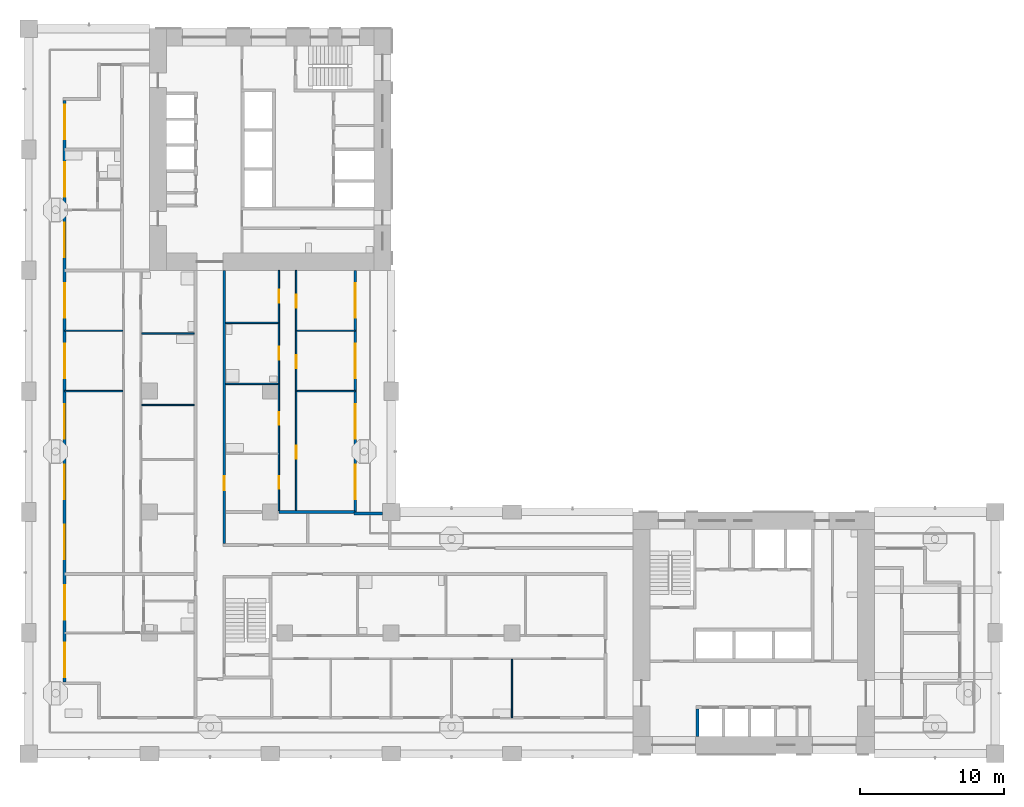
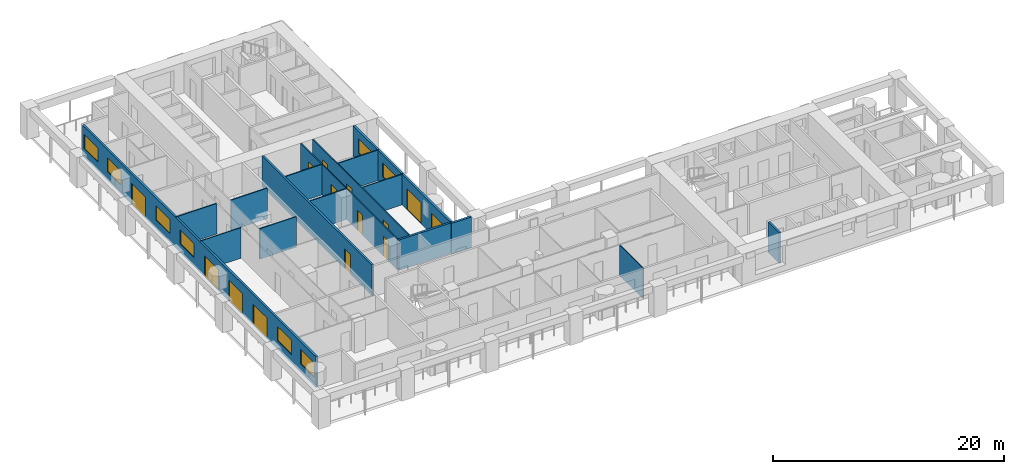
# One storey, part 4 of 18: 17 walls, 14 doors, 8 windows, 22 openings.
"""IFC4 building model written with IfcOpenShell, lengths in metres."""

from ifc_helpers import new_model, si_unit, direction, frame, frame_2d, origin, place, context, subcontext, project, spatial, rectangle, extrude, material, layer, layer_set, type_object, element, fill, save


model = new_model("IFC4")

# Units and contexts
model_context = context("Model", 3, precision=1e-05, world=origin(), true_north=direction((0.0, 1.0)))
body_context = subcontext(model_context, "Body", "Model", "MODEL_VIEW")
ifc_project = project(units=[si_unit("LENGTHUNIT", "METRE"), si_unit("AREAUNIT", "SQUARE_METRE"), si_unit("VOLUMEUNIT", "CUBIC_METRE"), si_unit("PLANEANGLEUNIT", "RADIAN"), si_unit("MASSUNIT", "GRAM", prefix="KILO")], contexts=[model_context])

# Site, building, storey
site_placement = place(None, origin())
site = spatial("IfcSite", under=ifc_project, at=site_placement, CompositionType="ELEMENT")
building_placement = place(site_placement, origin())
building = spatial("IfcBuilding", under=site, at=building_placement, Name="Vermilion Gate Residences", CompositionType="ELEMENT")
storey_placement = place(building_placement, frame((0.0, 0.0, 109.199951171875)))
storey = spatial("IfcBuildingStorey", under=building, at=storey_placement, Name="L27", CompositionType="ELEMENT", Elevation=109.199951171875)

# Wall, openings, doors, windows
ifc_material_1 = material(Name="Insulated steel stud wall with terracotta rainscreen", Category="masonry")
ifc_layer_1 = layer(ifc_material_1, 0.199951171875)
ifc_layer_set_1 = layer_set([ifc_layer_1], Name="EXTERNAL WALL 200 TERRACOTTA RAINSCREEN")
wall_type_1 = type_object("IfcWallType", Name="EXTERNAL WALL 200 TERRACOTTA RAINSCREEN", PredefinedType="SOLIDWALL", material=ifc_layer_set_1)
wall_1_placement = place(storey_placement, frame((2.5, 53.800048828125, 0.0), z_axis=(0.0, 0.0, 1.0), x_axis=(0.0, -1.0, 0.0)))
wall_1 = element("IfcWall", 1, at=wall_1_placement, inside=storey, type_object=wall_type_1, Name="External wall", PredefinedType="SOLIDWALL", context=body_context, shape_type="SweptSolid", body=[
    extrude(rectangle(XDim=40.400146484375, YDim=0.199951171875, at=frame_2d((20.2001953125, 0.0))), origin(), (0.0, 0.0, 1.0), 3.219970703125),
])
opening_1_placement = place(wall_1_placement, frame((37.699951171875, 0.0, 0.89990234375)))
opening_1 = element("IfcOpeningElement", 2, at=opening_1_placement, cuts=wall_1, Name="Opening WE27002", PredefinedType="OPENING", context=body_context, shape_type="SweptSolid", body=[
    extrude(rectangle(XDim=2.39990234375, YDim=1.5, at=frame_2d((1.199951171875, 0.75))), frame((0.0, 0.10986328125, 0.0), z_axis=(0.0, -1.0, 0.0), x_axis=(1.0, 0.0, 0.0)), (0.0, 0.0, 1.0), 0.219970703125),
])
opening_2_placement = place(wall_1_placement, frame((33.699951171875, 0.0, 0.89990234375)))
opening_2 = element("IfcOpeningElement", 3, at=opening_2_placement, cuts=wall_1, Name="Opening WE27003", PredefinedType="OPENING", context=body_context, shape_type="SweptSolid", body=[
    extrude(rectangle(XDim=2.39990234375, YDim=1.5, at=frame_2d((1.199951171875, 0.75))), frame((0.0, 0.10986328125, 0.0), z_axis=(0.0, -1.0, 0.0), x_axis=(1.0, 0.0, 0.0)), (0.0, 0.0, 1.0), 0.219970703125),
])
opening_3_placement = place(wall_1_placement, frame((29.5, 0.0, 0.0)))
opening_3 = element("IfcOpeningElement", 4, at=opening_3_placement, cuts=wall_1, Name="Opening DE27004", PredefinedType="OPENING", context=body_context, shape_type="SweptSolid", body=[
    extrude(rectangle(XDim=2.39990234375, YDim=2.199951171875, at=frame_2d((1.199951171875, 1.10009765625))), frame((0.0, 0.10986328125, 0.0), z_axis=(0.0, -1.0, 0.0), x_axis=(1.0, 0.0, 0.0)), (0.0, 0.0, 1.0), 0.219970703125),
])
opening_4_placement = place(wall_1_placement, frame((25.300048828125, 0.0, 0.0)))
opening_4 = element("IfcOpeningElement", 5, at=opening_4_placement, cuts=wall_1, Name="Opening DE27005", PredefinedType="OPENING", context=body_context, shape_type="SweptSolid", body=[
    extrude(rectangle(XDim=2.39990234375, YDim=2.199951171875, at=frame_2d((1.199951171875, 1.10009765625))), frame((0.0, 0.10986328125, 0.0), z_axis=(0.0, -1.0, 0.0), x_axis=(1.0, 0.0, 0.0)), (0.0, 0.0, 1.0), 0.219970703125),
])
opening_5_placement = place(wall_1_placement, frame((21.10009765625, 0.0, 0.0)))
opening_5 = element("IfcOpeningElement", 6, at=opening_5_placement, cuts=wall_1, Name="Opening DE27006", PredefinedType="OPENING", context=body_context, shape_type="SweptSolid", body=[
    extrude(rectangle(XDim=2.39990234375, YDim=2.199951171875, at=frame_2d((1.199951171875, 1.10009765625))), frame((0.0, 0.10986328125, 0.0), z_axis=(0.0, -1.0, 0.0), x_axis=(1.0, 0.0, 0.0)), (0.0, 0.0, 1.0), 0.219970703125),
])
opening_6_placement = place(wall_1_placement, frame((16.89990234375, 0.0, 0.89990234375)))
opening_6 = element("IfcOpeningElement", 7, at=opening_6_placement, cuts=wall_1, Name="Opening WE27007", PredefinedType="OPENING", context=body_context, shape_type="SweptSolid", body=[
    extrude(rectangle(XDim=2.39990234375, YDim=1.5, at=frame_2d((1.199951171875, 0.75))), frame((0.0, 0.10986328125, 0.0), z_axis=(0.0, -1.0, 0.0), x_axis=(1.0, 0.0, 0.0)), (0.0, 0.0, 1.0), 0.219970703125),
])
opening_7_placement = place(wall_1_placement, frame((12.699951171875, 0.0, 0.89990234375)))
opening_7 = element("IfcOpeningElement", 8, at=opening_7_placement, cuts=wall_1, Name="Opening WE27008", PredefinedType="OPENING", context=body_context, shape_type="SweptSolid", body=[
    extrude(rectangle(XDim=2.39990234375, YDim=1.5, at=frame_2d((1.199951171875, 0.75))), frame((0.0, 0.10986328125, 0.0), z_axis=(0.0, -1.0, 0.0), x_axis=(1.0, 0.0, 0.0)), (0.0, 0.0, 1.0), 0.219970703125),
])
opening_8_placement = place(wall_1_placement, frame((8.5, 0.0, 0.0)))
opening_8 = element("IfcOpeningElement", 9, at=opening_8_placement, cuts=wall_1, Name="Opening DE27009", PredefinedType="OPENING", context=body_context, shape_type="SweptSolid", body=[
    extrude(rectangle(XDim=2.39990234375, YDim=2.199951171875, at=frame_2d((1.199951171875, 1.10009765625))), frame((0.0, 0.10986328125, 0.0), z_axis=(0.0, -1.0, 0.0), x_axis=(1.0, 0.0, 0.0)), (0.0, 0.0, 1.0), 0.219970703125),
])
opening_9_placement = place(wall_1_placement, frame((4.300048828125, 0.0, 0.89990234375)))
opening_9 = element("IfcOpeningElement", 10, at=opening_9_placement, cuts=wall_1, Name="Opening WE27010", PredefinedType="OPENING", context=body_context, shape_type="SweptSolid", body=[
    extrude(rectangle(XDim=2.39990234375, YDim=1.5, at=frame_2d((1.199951171875, 0.75))), frame((0.0, 0.10986328125, 0.0), z_axis=(0.0, -1.0, 0.0), x_axis=(1.0, 0.0, 0.0)), (0.0, 0.0, 1.0), 0.219970703125),
])
opening_10_placement = place(wall_1_placement, frame((0.300048828125, 0.0, 0.89990234375)))
opening_10 = element("IfcOpeningElement", 11, at=opening_10_placement, cuts=wall_1, Name="Opening WE27011", PredefinedType="OPENING", context=body_context, shape_type="SweptSolid", body=[
    extrude(rectangle(XDim=2.39990234375, YDim=1.5, at=frame_2d((1.199951171875, 0.75))), frame((0.0, 0.10986328125, 0.0), z_axis=(0.0, -1.0, 0.0), x_axis=(1.0, 0.0, 0.0)), (0.0, 0.0, 1.0), 0.219970703125),
])
ifc_material_2 = material(Name="Aluminium and clear glass", Category="aluminium")
door_type_1 = type_object("IfcDoorType", Name="SLIDING GLAZED DOOR 2400 X 2200", OperationType="DOUBLE_DOOR_SLIDING", PredefinedType="DOOR", material=ifc_material_2)
door_1_placement = place(opening_3_placement, origin())
door_1 = element("IfcDoor", 12, at=door_1_placement, inside=storey, type_object=door_type_1, Name="Loggia sliding door", OperationType="DOUBLE_DOOR_SLIDING", OverallHeight=2.199951171875, OverallWidth=2.39990234375, PredefinedType="DOOR", context=body_context, shape_type="SweptSolid", body=[
    extrude(rectangle(XDim=2.39990234375, YDim=2.199951171875, at=frame_2d((1.199951171875, 1.10009765625))), frame((0.0, 0.02490234375, 0.0), z_axis=(0.0, -1.0, 0.0), x_axis=(1.0, 0.0, 0.0)), (0.0, 0.0, 1.0), 0.050048828125),
])
fill(opening_3, door_1)
door_2_placement = place(opening_4_placement, origin())
door_2 = element("IfcDoor", 13, at=door_2_placement, inside=storey, type_object=door_type_1, Name="Loggia sliding door", OperationType="DOUBLE_DOOR_SLIDING", OverallHeight=2.199951171875, OverallWidth=2.39990234375, PredefinedType="DOOR", context=body_context, shape_type="SweptSolid", body=[
    extrude(rectangle(XDim=2.39990234375, YDim=2.199951171875, at=frame_2d((1.199951171875, 1.10009765625))), frame((0.0, 0.02490234375, 0.0), z_axis=(0.0, -1.0, 0.0), x_axis=(1.0, 0.0, 0.0)), (0.0, 0.0, 1.0), 0.050048828125),
])
fill(opening_4, door_2)
door_3_placement = place(opening_5_placement, origin())
door_3 = element("IfcDoor", 14, at=door_3_placement, inside=storey, type_object=door_type_1, Name="Loggia sliding door", OperationType="DOUBLE_DOOR_SLIDING", OverallHeight=2.199951171875, OverallWidth=2.39990234375, PredefinedType="DOOR", context=body_context, shape_type="SweptSolid", body=[
    extrude(rectangle(XDim=2.39990234375, YDim=2.199951171875, at=frame_2d((1.199951171875, 1.10009765625))), frame((0.0, 0.02490234375, 0.0), z_axis=(0.0, -1.0, 0.0), x_axis=(1.0, 0.0, 0.0)), (0.0, 0.0, 1.0), 0.050048828125),
])
fill(opening_5, door_3)
door_4_placement = place(opening_8_placement, origin())
door_4 = element("IfcDoor", 15, at=door_4_placement, inside=storey, type_object=door_type_1, Name="Loggia sliding door", OperationType="DOUBLE_DOOR_SLIDING", OverallHeight=2.199951171875, OverallWidth=2.39990234375, PredefinedType="DOOR", context=body_context, shape_type="SweptSolid", body=[
    extrude(rectangle(XDim=2.39990234375, YDim=2.199951171875, at=frame_2d((1.199951171875, 1.10009765625))), frame((0.0, 0.02490234375, 0.0), z_axis=(0.0, -1.0, 0.0), x_axis=(1.0, 0.0, 0.0)), (0.0, 0.0, 1.0), 0.050048828125),
])
fill(opening_8, door_4)
ifc_material_3 = material(Name="Aluminium and clear glass", Category="aluminium")
window_type = type_object("IfcWindowType", Name="WINDOW 2400 X 1500", PartitioningType="SINGLE_PANEL", PredefinedType="WINDOW", material=ifc_material_3)
window_1_placement = place(opening_1_placement, origin())
window_1 = element("IfcWindow", 16, at=window_1_placement, inside=storey, type_object=window_type, Name="Window", OverallHeight=1.5, OverallWidth=2.39990234375, PartitioningType="SINGLE_PANEL", PredefinedType="WINDOW", context=body_context, shape_type="SweptSolid", body=[
    extrude(rectangle(XDim=2.39990234375, YDim=1.5, at=frame_2d((1.199951171875, 0.75))), frame((0.0, 0.030029296875, 0.0), z_axis=(0.0, -1.0, 0.0), x_axis=(1.0, 0.0, 0.0)), (0.0, 0.0, 1.0), 0.06005859375),
])
fill(opening_1, window_1)
window_2_placement = place(opening_2_placement, origin())
window_2 = element("IfcWindow", 17, at=window_2_placement, inside=storey, type_object=window_type, Name="Window", OverallHeight=1.5, OverallWidth=2.39990234375, PartitioningType="SINGLE_PANEL", PredefinedType="WINDOW", context=body_context, shape_type="SweptSolid", body=[
    extrude(rectangle(XDim=2.39990234375, YDim=1.5, at=frame_2d((1.199951171875, 0.75))), frame((0.0, 0.030029296875, 0.0), z_axis=(0.0, -1.0, 0.0), x_axis=(1.0, 0.0, 0.0)), (0.0, 0.0, 1.0), 0.06005859375),
])
fill(opening_2, window_2)
window_3_placement = place(opening_6_placement, origin())
window_3 = element("IfcWindow", 18, at=window_3_placement, inside=storey, type_object=window_type, Name="Window", OverallHeight=1.5, OverallWidth=2.39990234375, PartitioningType="SINGLE_PANEL", PredefinedType="WINDOW", context=body_context, shape_type="SweptSolid", body=[
    extrude(rectangle(XDim=2.39990234375, YDim=1.5, at=frame_2d((1.199951171875, 0.75))), frame((0.0, 0.030029296875, 0.0), z_axis=(0.0, -1.0, 0.0), x_axis=(1.0, 0.0, 0.0)), (0.0, 0.0, 1.0), 0.06005859375),
])
fill(opening_6, window_3)
window_4_placement = place(opening_7_placement, origin())
window_4 = element("IfcWindow", 19, at=window_4_placement, inside=storey, type_object=window_type, Name="Window", OverallHeight=1.5, OverallWidth=2.39990234375, PartitioningType="SINGLE_PANEL", PredefinedType="WINDOW", context=body_context, shape_type="SweptSolid", body=[
    extrude(rectangle(XDim=2.39990234375, YDim=1.5, at=frame_2d((1.199951171875, 0.75))), frame((0.0, 0.030029296875, 0.0), z_axis=(0.0, -1.0, 0.0), x_axis=(1.0, 0.0, 0.0)), (0.0, 0.0, 1.0), 0.06005859375),
])
fill(opening_7, window_4)
window_5_placement = place(opening_9_placement, origin())
window_5 = element("IfcWindow", 20, at=window_5_placement, inside=storey, type_object=window_type, Name="Window", OverallHeight=1.5, OverallWidth=2.39990234375, PartitioningType="SINGLE_PANEL", PredefinedType="WINDOW", context=body_context, shape_type="SweptSolid", body=[
    extrude(rectangle(XDim=2.39990234375, YDim=1.5, at=frame_2d((1.199951171875, 0.75))), frame((0.0, 0.030029296875, 0.0), z_axis=(0.0, -1.0, 0.0), x_axis=(1.0, 0.0, 0.0)), (0.0, 0.0, 1.0), 0.06005859375),
])
fill(opening_9, window_5)
window_6_placement = place(opening_10_placement, origin())
window_6 = element("IfcWindow", 21, at=window_6_placement, inside=storey, type_object=window_type, Name="Window", OverallHeight=1.5, OverallWidth=2.39990234375, PartitioningType="SINGLE_PANEL", PredefinedType="WINDOW", context=body_context, shape_type="SweptSolid", body=[
    extrude(rectangle(XDim=2.39990234375, YDim=1.5, at=frame_2d((1.199951171875, 0.75))), frame((0.0, 0.030029296875, 0.0), z_axis=(0.0, -1.0, 0.0), x_axis=(1.0, 0.0, 0.0)), (0.0, 0.0, 1.0), 0.06005859375),
])
fill(opening_10, window_6)

# Wall
wall_2_placement = place(storey_placement, frame((24.60009765625, 25.10009765625, 0.0), z_axis=(0.0, 0.0, 1.0), x_axis=(-1.0, 0.0, 0.0)))
element("IfcWall", 22, at=wall_2_placement, inside=storey, type_object=wall_type_1, Name="External wall", PredefinedType="SOLIDWALL", context=body_context, shape_type="SweptSolid", body=[
    extrude(rectangle(XDim=2.0, YDim=0.199951171875, at=frame_2d((1.0, 0.0))), origin(), (0.0, 0.0, 1.0), 3.219970703125),
])

# Wall, openings, doors, windows
wall_3_placement = place(storey_placement, frame((22.699951171875, 25.199951171875, 0.0), z_axis=(0.0, 0.0, 1.0), x_axis=(0.0, 1.0, 0.0)))
wall_3 = element("IfcWall", 23, at=wall_3_placement, inside=storey, type_object=wall_type_1, Name="External wall", PredefinedType="SOLIDWALL", context=body_context, shape_type="SweptSolid", body=[
    extrude(rectangle(XDim=16.800048828125, YDim=0.199951171875, at=frame_2d((8.39990234375, 0.0))), origin(), (0.0, 0.0, 1.0), 3.219970703125),
])
opening_11_placement = place(wall_3_placement, frame((0.89990234375, 0.0, 0.0)))
opening_11 = element("IfcOpeningElement", 24, at=opening_11_placement, cuts=wall_3, Name="Opening DE27024", PredefinedType="OPENING", context=body_context, shape_type="SweptSolid", body=[
    extrude(rectangle(XDim=2.39990234375, YDim=2.199951171875, at=frame_2d((1.199951171875, 1.10009765625))), frame((0.0, 0.10986328125, 0.0), z_axis=(0.0, -1.0, 0.0), x_axis=(1.0, 0.0, 0.0)), (0.0, 0.0, 1.0), 0.219970703125),
])
opening_12_placement = place(wall_3_placement, frame((5.10009765625, 0.0, 0.0)))
opening_12 = element("IfcOpeningElement", 25, at=opening_12_placement, cuts=wall_3, Name="Opening DE27025", PredefinedType="OPENING", context=body_context, shape_type="SweptSolid", body=[
    extrude(rectangle(XDim=2.39990234375, YDim=2.199951171875, at=frame_2d((1.199951171875, 1.10009765625))), frame((0.0, 0.10986328125, 0.0), z_axis=(0.0, -1.0, 0.0), x_axis=(1.0, 0.0, 0.0)), (0.0, 0.0, 1.0), 0.219970703125),
])
opening_13_placement = place(wall_3_placement, frame((9.300048828125, 0.0, 0.89990234375)))
opening_13 = element("IfcOpeningElement", 26, at=opening_13_placement, cuts=wall_3, Name="Opening WE27026", PredefinedType="OPENING", context=body_context, shape_type="SweptSolid", body=[
    extrude(rectangle(XDim=2.39990234375, YDim=1.5, at=frame_2d((1.199951171875, 0.75))), frame((0.0, 0.10986328125, 0.0), z_axis=(0.0, -1.0, 0.0), x_axis=(1.0, 0.0, 0.0)), (0.0, 0.0, 1.0), 0.219970703125),
])
opening_14_placement = place(wall_3_placement, frame((13.5, 0.0, 0.89990234375)))
opening_14 = element("IfcOpeningElement", 27, at=opening_14_placement, cuts=wall_3, Name="Opening WE27027", PredefinedType="OPENING", context=body_context, shape_type="SweptSolid", body=[
    extrude(rectangle(XDim=2.39990234375, YDim=1.5, at=frame_2d((1.199951171875, 0.75))), frame((0.0, 0.10986328125, 0.0), z_axis=(0.0, -1.0, 0.0), x_axis=(1.0, 0.0, 0.0)), (0.0, 0.0, 1.0), 0.219970703125),
])
door_5_placement = place(opening_11_placement, origin())
door_5 = element("IfcDoor", 28, at=door_5_placement, inside=storey, type_object=door_type_1, Name="Loggia sliding door", OperationType="DOUBLE_DOOR_SLIDING", OverallHeight=2.199951171875, OverallWidth=2.39990234375, PredefinedType="DOOR", context=body_context, shape_type="SweptSolid", body=[
    extrude(rectangle(XDim=2.39990234375, YDim=2.199951171875, at=frame_2d((1.199951171875, 1.10009765625))), frame((0.0, 0.02490234375, 0.0), z_axis=(0.0, -1.0, 0.0), x_axis=(1.0, 0.0, 0.0)), (0.0, 0.0, 1.0), 0.050048828125),
])
fill(opening_11, door_5)
door_6_placement = place(opening_12_placement, origin())
door_6 = element("IfcDoor", 29, at=door_6_placement, inside=storey, type_object=door_type_1, Name="Loggia sliding door", OperationType="DOUBLE_DOOR_SLIDING", OverallHeight=2.199951171875, OverallWidth=2.39990234375, PredefinedType="DOOR", context=body_context, shape_type="SweptSolid", body=[
    extrude(rectangle(XDim=2.39990234375, YDim=2.199951171875, at=frame_2d((1.199951171875, 1.10009765625))), frame((0.0, 0.02490234375, 0.0), z_axis=(0.0, -1.0, 0.0), x_axis=(1.0, 0.0, 0.0)), (0.0, 0.0, 1.0), 0.050048828125),
])
fill(opening_12, door_6)
window_7_placement = place(opening_13_placement, origin())
window_7 = element("IfcWindow", 30, at=window_7_placement, inside=storey, type_object=window_type, Name="Window", OverallHeight=1.5, OverallWidth=2.39990234375, PartitioningType="SINGLE_PANEL", PredefinedType="WINDOW", context=body_context, shape_type="SweptSolid", body=[
    extrude(rectangle(XDim=2.39990234375, YDim=1.5, at=frame_2d((1.199951171875, 0.75))), frame((0.0, 0.030029296875, 0.0), z_axis=(0.0, -1.0, 0.0), x_axis=(1.0, 0.0, 0.0)), (0.0, 0.0, 1.0), 0.06005859375),
])
fill(opening_13, window_7)
window_8_placement = place(opening_14_placement, origin())
window_8 = element("IfcWindow", 31, at=window_8_placement, inside=storey, type_object=window_type, Name="Window", OverallHeight=1.5, OverallWidth=2.39990234375, PartitioningType="SINGLE_PANEL", PredefinedType="WINDOW", context=body_context, shape_type="SweptSolid", body=[
    extrude(rectangle(XDim=2.39990234375, YDim=1.5, at=frame_2d((1.199951171875, 0.75))), frame((0.0, 0.030029296875, 0.0), z_axis=(0.0, -1.0, 0.0), x_axis=(1.0, 0.0, 0.0)), (0.0, 0.0, 1.0), 0.06005859375),
])
fill(opening_14, window_8)

# Walls
ifc_material_4 = material(Name="Plasterboard on steel studs", Category="steel")
ifc_layer_2 = layer(ifc_material_4, 0.10009765625)
ifc_layer_set_2 = layer_set([ifc_layer_2], Name="PARTITION 100")
wall_type_2 = type_object("IfcWallType", Name="PARTITION 100", PredefinedType="PARTITIONING", material=ifc_layer_set_2)
wall_4_placement = place(storey_placement, frame((7.85009765625, 32.639892578125, 0.0), z_axis=(0.0, 0.0, 1.0), x_axis=(1.0, 0.0, 0.0)))
element("IfcWall", 32, at=wall_4_placement, inside=storey, type_object=wall_type_2, Name="Partition", PredefinedType="PARTITIONING", context=body_context, shape_type="SweptSolid", body=[
    extrude(rectangle(XDim=3.64990234375, YDim=0.10009765625, at=frame_2d((1.824951171875, 0.0))), origin(), (0.0, 0.0, 1.0), 3.219970703125),
])
for number, where, z_axis, x_axis, name in (
    (33, (2.5, 33.60009765625, 0.0), (0.0, 0.0, 1.0), (1.0, 0.0, 0.0), "Partition"),
    (34, (18.64990234375, 33.60009765625, 0.0), (0.0, 0.0, 1.0), (1.0, 0.0, 0.0), "Partition"),
):
    element("IfcWall", number, at=place(storey_placement, frame(where, z_axis=z_axis, x_axis=x_axis)), inside=storey, type_object=wall_type_2, Name=name, PredefinedType="PARTITIONING", context=body_context, shape_type="SweptSolid", body=[
        extrude(rectangle(XDim=4.050048828125, YDim=0.10009765625, at=frame_2d((2.02490234375, 0.0))), origin(), (0.0, 0.0, 1.0), 3.219970703125),
    ])
wall_5_placement = place(storey_placement, frame((13.699951171875, 34.10009765625, 0.0), z_axis=(0.0, 0.0, 1.0), x_axis=(1.0, 0.0, 0.0)))
element("IfcWall", 35, at=wall_5_placement, inside=storey, type_object=wall_type_2, Name="Partition", PredefinedType="PARTITIONING", context=body_context, shape_type="SweptSolid", body=[
    extrude(rectangle(XDim=3.650146484375, YDim=0.10009765625, at=frame_2d((1.8251953125, 0.0))), origin(), (0.0, 0.0, 1.0), 3.219970703125),
])
wall_6_placement = place(storey_placement, frame((7.85009765625, 37.6201171875, 0.0), z_axis=(0.0, 0.0, 1.0), x_axis=(1.0, 0.0, 0.0)))
element("IfcWall", 36, at=wall_6_placement, inside=storey, type_object=wall_type_2, Name="Partition", PredefinedType="PARTITIONING", context=body_context, shape_type="SweptSolid", body=[
    extrude(rectangle(XDim=3.64990234375, YDim=0.10009765625, at=frame_2d((1.824951171875, 0.0))), origin(), (0.0, 0.0, 1.0), 3.219970703125),
])
for number, where, z_axis, x_axis, name in (
    (37, (2.5, 37.800048828125, 0.0), (0.0, 0.0, 1.0), (1.0, 0.0, 0.0), "Partition"),
    (38, (18.64990234375, 37.800048828125, 0.0), (0.0, 0.0, 1.0), (1.0, 0.0, 0.0), "Partition"),
):
    element("IfcWall", number, at=place(storey_placement, frame(where, z_axis=z_axis, x_axis=x_axis)), inside=storey, type_object=wall_type_2, Name=name, PredefinedType="PARTITIONING", context=body_context, shape_type="SweptSolid", body=[
        extrude(rectangle(XDim=4.050048828125, YDim=0.10009765625, at=frame_2d((2.02490234375, 0.0))), origin(), (0.0, 0.0, 1.0), 3.219970703125),
    ])
wall_7_placement = place(storey_placement, frame((13.699951171875, 38.35009765625, 0.0), z_axis=(0.0, 0.0, 1.0), x_axis=(1.0, 0.0, 0.0)))
element("IfcWall", 39, at=wall_7_placement, inside=storey, type_object=wall_type_2, Name="Partition", PredefinedType="PARTITIONING", context=body_context, shape_type="SweptSolid", body=[
    extrude(rectangle(XDim=3.650146484375, YDim=0.10009765625, at=frame_2d((1.8251953125, 0.0))), origin(), (0.0, 0.0, 1.0), 3.219970703125),
])

# Wall, openings, doors
wall_8_placement = place(storey_placement, frame((17.39990234375, 25.300048828125, 0.0), z_axis=(0.0, 0.0, 1.0), x_axis=(0.0, 1.0, 0.0)))
wall_8 = element("IfcWall", 40, at=wall_8_placement, inside=storey, type_object=wall_type_2, Name="Partition", PredefinedType="PARTITIONING", context=body_context, shape_type="SweptSolid", body=[
    extrude(rectangle(XDim=16.699951171875, YDim=0.10009765625, at=frame_2d((8.35009765625, 0.0))), origin(), (0.0, 0.0, 1.0), 3.219970703125),
])
opening_15_placement = place(wall_8_placement, frame((1.5, 0.0, 0.0)))
opening_15 = element("IfcOpeningElement", 41, at=opening_15_placement, cuts=wall_8, Name="Opening DA25034", PredefinedType="OPENING", context=body_context, shape_type="SweptSolid", body=[
    extrude(rectangle(XDim=0.89990234375, YDim=2.10009765625, at=frame_2d((0.449951171875, 1.050048828125))), frame((0.0, 0.06005859375, 0.0), z_axis=(0.0, -1.0, 0.0), x_axis=(1.0, 0.0, 0.0)), (0.0, 0.0, 1.0), 0.1201171875),
])
opening_16_placement = place(wall_8_placement, frame((5.949951171875, 0.0, 0.0)))
opening_16 = element("IfcOpeningElement", 42, at=opening_16_placement, cuts=wall_8, Name="Opening DA25035", PredefinedType="OPENING", context=body_context, shape_type="SweptSolid", body=[
    extrude(rectangle(XDim=0.89990234375, YDim=2.10009765625, at=frame_2d((0.449951171875, 1.050048828125))), frame((0.0, 0.06005859375, 0.0), z_axis=(0.0, -1.0, 0.0), x_axis=(1.0, 0.0, 0.0)), (0.0, 0.0, 1.0), 0.1201171875),
])
opening_17_placement = place(wall_8_placement, frame((10.5, 0.0, 0.0)))
opening_17 = element("IfcOpeningElement", 43, at=opening_17_placement, cuts=wall_8, Name="Opening DA25036", PredefinedType="OPENING", context=body_context, shape_type="SweptSolid", body=[
    extrude(rectangle(XDim=0.89990234375, YDim=2.10009765625, at=frame_2d((0.449951171875, 1.050048828125))), frame((0.0, 0.06005859375, 0.0), z_axis=(0.0, -1.0, 0.0), x_axis=(1.0, 0.0, 0.0)), (0.0, 0.0, 1.0), 0.1201171875),
])
opening_18_placement = place(wall_8_placement, frame((14.449951171875, 0.0, 0.0)))
opening_18 = element("IfcOpeningElement", 44, at=opening_18_placement, cuts=wall_8, Name="Opening DA25037", PredefinedType="OPENING", context=body_context, shape_type="SweptSolid", body=[
    extrude(rectangle(XDim=0.89990234375, YDim=2.10009765625, at=frame_2d((0.449951171875, 1.050048828125))), frame((0.0, 0.06005859375, 0.0), z_axis=(0.0, -1.0, 0.0), x_axis=(1.0, 0.0, 0.0)), (0.0, 0.0, 1.0), 0.1201171875),
])
ifc_material_5 = material(Name="Timber", Category="wood")
door_type_2 = type_object("IfcDoorType", Name="INTERIOR DOOR 900 X 2100", OperationType="SINGLE_SWING_LEFT", PredefinedType="DOOR", material=ifc_material_5)
door_7_placement = place(opening_15_placement, origin())
door_7 = element("IfcDoor", 45, at=door_7_placement, inside=storey, type_object=door_type_2, Name="Interior door", OperationType="SINGLE_SWING_LEFT", OverallHeight=2.10009765625, OverallWidth=0.89990234375, PredefinedType="DOOR", context=body_context, shape_type="SweptSolid", body=[
    extrude(rectangle(XDim=0.89990234375, YDim=2.10009765625, at=frame_2d((0.449951171875, 1.050048828125))), frame((0.0, 0.02490234375, 0.0), z_axis=(0.0, -1.0, 0.0), x_axis=(1.0, 0.0, 0.0)), (0.0, 0.0, 1.0), 0.050048828125),
])
fill(opening_15, door_7)
door_8_placement = place(opening_16_placement, origin())
door_8 = element("IfcDoor", 46, at=door_8_placement, inside=storey, type_object=door_type_2, Name="Interior door", OperationType="SINGLE_SWING_RIGHT", OverallHeight=2.10009765625, OverallWidth=0.89990234375, PredefinedType="DOOR", context=body_context, shape_type="SweptSolid", body=[
    extrude(rectangle(XDim=0.89990234375, YDim=2.10009765625, at=frame_2d((0.449951171875, 1.050048828125))), frame((0.0, 0.02490234375, 0.0), z_axis=(0.0, -1.0, 0.0), x_axis=(1.0, 0.0, 0.0)), (0.0, 0.0, 1.0), 0.050048828125),
])
fill(opening_16, door_8)
door_9_placement = place(opening_17_placement, origin())
door_9 = element("IfcDoor", 47, at=door_9_placement, inside=storey, type_object=door_type_2, Name="Interior door", OperationType="SINGLE_SWING_LEFT", OverallHeight=2.10009765625, OverallWidth=0.89990234375, PredefinedType="DOOR", context=body_context, shape_type="SweptSolid", body=[
    extrude(rectangle(XDim=0.89990234375, YDim=2.10009765625, at=frame_2d((0.449951171875, 1.050048828125))), frame((0.0, 0.02490234375, 0.0), z_axis=(0.0, -1.0, 0.0), x_axis=(1.0, 0.0, 0.0)), (0.0, 0.0, 1.0), 0.050048828125),
])
fill(opening_17, door_9)
door_10_placement = place(opening_18_placement, origin())
door_10 = element("IfcDoor", 48, at=door_10_placement, inside=storey, type_object=door_type_2, Name="Interior door", OperationType="SINGLE_SWING_LEFT", OverallHeight=2.10009765625, OverallWidth=0.89990234375, PredefinedType="DOOR", context=body_context, shape_type="SweptSolid", body=[
    extrude(rectangle(XDim=0.89990234375, YDim=2.10009765625, at=frame_2d((0.449951171875, 1.050048828125))), frame((0.0, 0.02490234375, 0.0), z_axis=(0.0, -1.0, 0.0), x_axis=(1.0, 0.0, 0.0)), (0.0, 0.0, 1.0), 0.050048828125),
])
fill(opening_18, door_10)

wall_9_placement = place(storey_placement, frame((18.60009765625, 25.300048828125, 0.0), z_axis=(0.0, 0.0, 1.0), x_axis=(0.0, 1.0, 0.0)))
wall_9 = element("IfcWall", 49, at=wall_9_placement, inside=storey, type_object=wall_type_2, Name="Partition", PredefinedType="PARTITIONING", context=body_context, shape_type="SweptSolid", body=[
    extrude(rectangle(XDim=16.699951171875, YDim=0.10009765625, at=frame_2d((8.35009765625, 0.0))), origin(), (0.0, 0.0, 1.0), 3.219970703125),
])
opening_19_placement = place(wall_9_placement, frame((3.60009765625, 0.0, 0.0)))
opening_19 = element("IfcOpeningElement", 50, at=opening_19_placement, cuts=wall_9, Name="Opening DA25038", PredefinedType="OPENING", context=body_context, shape_type="SweptSolid", body=[
    extrude(rectangle(XDim=0.89990234375, YDim=2.10009765625, at=frame_2d((0.449951171875, 1.050048828125))), frame((0.0, 0.06005859375, 0.0), z_axis=(0.0, -1.0, 0.0), x_axis=(1.0, 0.0, 0.0)), (0.0, 0.0, 1.0), 0.1201171875),
])
opening_20_placement = place(wall_9_placement, frame((9.89990234375, 0.0, 0.0)))
opening_20 = element("IfcOpeningElement", 51, at=opening_20_placement, cuts=wall_9, Name="Opening DA25039", PredefinedType="OPENING", context=body_context, shape_type="SweptSolid", body=[
    extrude(rectangle(XDim=0.89990234375, YDim=2.10009765625, at=frame_2d((0.449951171875, 1.050048828125))), frame((0.0, 0.06005859375, 0.0), z_axis=(0.0, -1.0, 0.0), x_axis=(1.0, 0.0, 0.0)), (0.0, 0.0, 1.0), 0.1201171875),
])
opening_21_placement = place(wall_9_placement, frame((14.10009765625, 0.0, 0.0)))
opening_21 = element("IfcOpeningElement", 52, at=opening_21_placement, cuts=wall_9, Name="Opening DA25040", PredefinedType="OPENING", context=body_context, shape_type="SweptSolid", body=[
    extrude(rectangle(XDim=0.89990234375, YDim=2.10009765625, at=frame_2d((0.449951171875, 1.050048828125))), frame((0.0, 0.06005859375, 0.0), z_axis=(0.0, -1.0, 0.0), x_axis=(1.0, 0.0, 0.0)), (0.0, 0.0, 1.0), 0.1201171875),
])
door_11_placement = place(opening_19_placement, frame((0.89990234375, 0.0, 0.0), z_axis=(0.0, 0.0, 1.0), x_axis=(-1.0, 0.0, 0.0)))
door_11 = element("IfcDoor", 53, at=door_11_placement, inside=storey, type_object=door_type_2, Name="Interior door", OperationType="SINGLE_SWING_RIGHT", OverallHeight=2.10009765625, OverallWidth=0.89990234375, PredefinedType="DOOR", context=body_context, shape_type="SweptSolid", body=[
    extrude(rectangle(XDim=0.89990234375, YDim=2.10009765625, at=frame_2d((0.449951171875, 1.050048828125))), frame((0.0, 0.02490234375, 0.0), z_axis=(0.0, -1.0, 0.0), x_axis=(1.0, 0.0, 0.0)), (0.0, 0.0, 1.0), 0.050048828125),
])
fill(opening_19, door_11)
door_12_placement = place(opening_20_placement, frame((0.89990234375, 0.0, 0.0), z_axis=(0.0, 0.0, 1.0), x_axis=(-1.0, 0.0, 0.0)))
door_12 = element("IfcDoor", 54, at=door_12_placement, inside=storey, type_object=door_type_2, Name="Interior door", OperationType="SINGLE_SWING_RIGHT", OverallHeight=2.10009765625, OverallWidth=0.89990234375, PredefinedType="DOOR", context=body_context, shape_type="SweptSolid", body=[
    extrude(rectangle(XDim=0.89990234375, YDim=2.10009765625, at=frame_2d((0.449951171875, 1.050048828125))), frame((0.0, 0.02490234375, 0.0), z_axis=(0.0, -1.0, 0.0), x_axis=(1.0, 0.0, 0.0)), (0.0, 0.0, 1.0), 0.050048828125),
])
fill(opening_20, door_12)
door_13_placement = place(opening_21_placement, frame((0.89990234375, 0.0, 0.0), z_axis=(0.0, 0.0, 1.0), x_axis=(-1.0, 0.0, 0.0)))
door_13 = element("IfcDoor", 55, at=door_13_placement, inside=storey, type_object=door_type_2, Name="Interior door", OperationType="SINGLE_SWING_RIGHT", OverallHeight=2.10009765625, OverallWidth=0.89990234375, PredefinedType="DOOR", context=body_context, shape_type="SweptSolid", body=[
    extrude(rectangle(XDim=0.89990234375, YDim=2.10009765625, at=frame_2d((0.449951171875, 1.050048828125))), frame((0.0, 0.02490234375, 0.0), z_axis=(0.0, -1.0, 0.0), x_axis=(1.0, 0.0, 0.0)), (0.0, 0.0, 1.0), 0.050048828125),
])
fill(opening_21, door_13)

# Walls
wall_10_placement = place(storey_placement, frame((33.60009765625, 10.89990234375, 0.0), z_axis=(0.0, 0.0, 1.0), x_axis=(0.0, 1.0, 0.0)))
element("IfcWall", 56, at=wall_10_placement, inside=storey, type_object=wall_type_2, Name="Partition", PredefinedType="PARTITIONING", context=body_context, shape_type="SweptSolid", body=[
    extrude(rectangle(XDim=4.050048828125, YDim=0.10009765625, at=frame_2d((2.02490234375, 0.0))), origin(), (0.0, 0.0, 1.0), 3.219970703125),
])
ifc_material_6 = material(Name="Fire-rated plasterboard on steel studs", Category="steel")
ifc_layer_3 = layer(ifc_material_6, 0.199951171875)
ifc_layer_set_3 = layer_set([ifc_layer_3], Name="PARTY WALL 200 EI 120")
wall_type_3 = type_object("IfcWallType", Name="PARTY WALL 200 EI 120", PredefinedType="PARTITIONING", material=ifc_layer_set_3)
wall_11_placement = place(storey_placement, frame((17.39990234375, 25.199951171875, 0.0), z_axis=(0.0, 0.0, 1.0), x_axis=(1.0, 0.0, 0.0)))
element("IfcWall", 57, at=wall_11_placement, inside=storey, type_object=wall_type_3, Name="Party and corridor wall", PredefinedType="PARTITIONING", context=body_context, shape_type="SweptSolid", body=[
    extrude(rectangle(XDim=5.300048828125, YDim=0.199951171875, at=frame_2d((2.64990234375, 0.0))), origin(), (0.0, 0.0, 1.0), 3.219970703125),
])

# Wall, opening, door
wall_12_placement = place(storey_placement, frame((13.60009765625, 23.0, 0.0), z_axis=(0.0, 0.0, 1.0), x_axis=(0.0, 1.0, 0.0)))
wall_12 = element("IfcWall", 58, at=wall_12_placement, inside=storey, type_object=wall_type_3, Name="Party and corridor wall", PredefinedType="PARTITIONING", context=body_context, shape_type="SweptSolid", body=[
    extrude(rectangle(XDim=19.0, YDim=0.199951171875, at=frame_2d((9.5, 0.0))), origin(), (0.0, 0.0, 1.0), 3.219970703125),
])
opening_22_placement = place(wall_12_placement, frame((3.699951171875, 0.0, 0.0)))
opening_22 = element("IfcOpeningElement", 59, at=opening_22_placement, cuts=wall_12, Name="Opening DA25033", PredefinedType="OPENING", context=body_context, shape_type="SweptSolid", body=[
    extrude(rectangle(XDim=1.0, YDim=2.10009765625, at=frame_2d((0.5, 1.050048828125))), frame((0.0, 0.10986328125, 0.0), z_axis=(0.0, -1.0, 0.0), x_axis=(1.0, 0.0, 0.0)), (0.0, 0.0, 1.0), 0.219970703125),
])
ifc_material_7 = material(Name="Steel", Category="steel")
door_type_3 = type_object("IfcDoorType", Name="ENTRANCE DOOR 1000 X 2100 FD30", OperationType="SINGLE_SWING_LEFT", PredefinedType="DOOR", material=ifc_material_7)
door_14_placement = place(opening_22_placement, frame((1.0, 0.0, 0.0), z_axis=(0.0, 0.0, 1.0), x_axis=(-1.0, 0.0, 0.0)))
door_14 = element("IfcDoor", 60, at=door_14_placement, inside=storey, type_object=door_type_3, Name="Entrance door", OperationType="SINGLE_SWING_RIGHT", OverallHeight=2.10009765625, OverallWidth=1.0, PredefinedType="DOOR", context=body_context, shape_type="SweptSolid", body=[
    extrude(rectangle(XDim=1.0, YDim=2.10009765625, at=frame_2d((0.5, 1.050048828125))), frame((0.0, 0.02490234375, 0.0), z_axis=(0.0, -1.0, 0.0), x_axis=(1.0, 0.0, 0.0)), (0.0, 0.0, 1.0), 0.050048828125),
])
fill(opening_22, door_14)

# Wall
ifc_material_8 = material(Name="Concrete C60", Category="concrete")
ifc_layer_4 = layer(ifc_material_8, 0.199951171875)
ifc_layer_set_4 = layer_set([ifc_layer_4], Name="RC CORE INTERNAL WALL 200 C60")
wall_type_4 = type_object("IfcWallType", Name="RC CORE INTERNAL WALL 200 C60", PredefinedType="SHEAR", material=ifc_layer_set_4)
wall_13_placement = place(storey_placement, frame((46.5, 9.60009765625, 0.0), z_axis=(0.0, 0.0, 1.0), x_axis=(0.0, 1.0, 0.0)))
element("IfcWall", 61, at=wall_13_placement, inside=storey, type_object=wall_type_4, Name="Core internal wall A27-LR-D0", PredefinedType="SHEAR", context=body_context, shape_type="SweptSolid", body=[
    extrude(rectangle(XDim=1.89990234375, YDim=0.199951171875, at=frame_2d((0.949951171875, 0.0))), origin(), (0.0, 0.0, 1.0), 3.219970703125),
])

save(model, "model.ifc")
